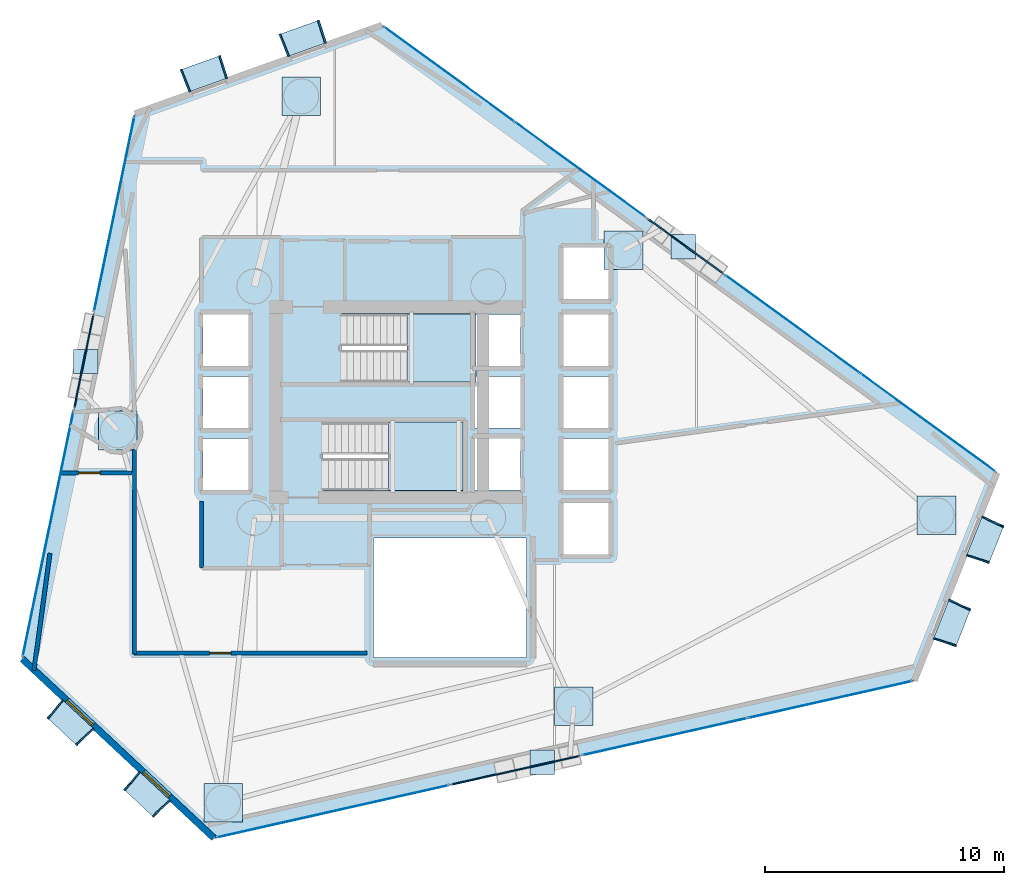
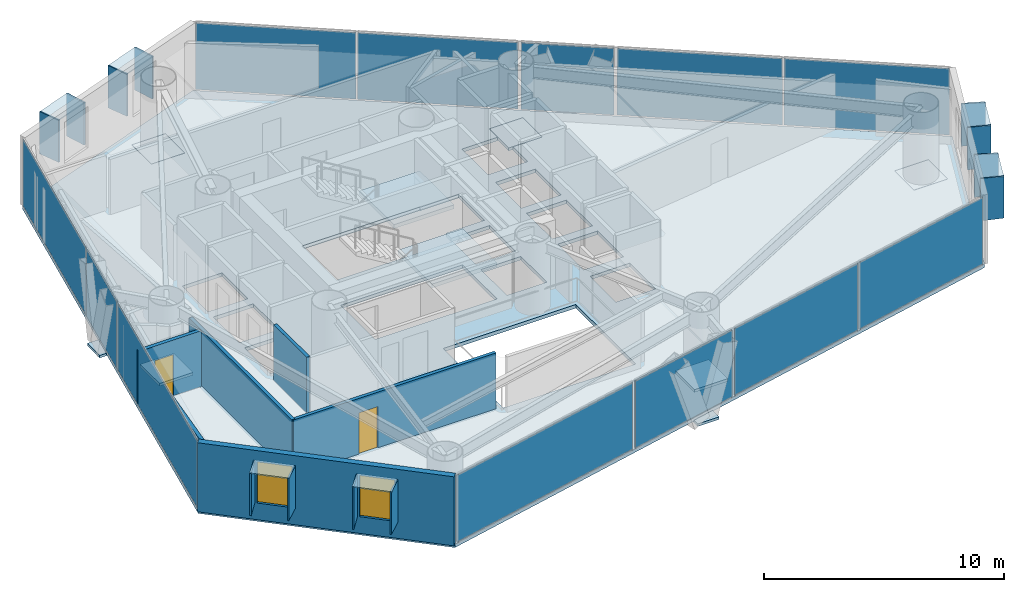
# One storey, part 12 of 18: 39 plates, 6 walls, 3 slabs, 2 doors, 2 windows, 4 openings, 11 elements without a shape of their own.
"""IFC4 building model written with IfcOpenShell, lengths in metres."""

import ifcopenshell
import ifcopenshell.guid

model = None  # the IFC model being written
_history = None  # IfcOwnerHistory: only IFC2X3 demands one
_inside = {}  # id of a spatial element -> (the spatial element, [elements in it])
_under = {}  # id of a project, library or spatial element -> (it, [spatial elements below it])
_declared = {}  # id of a project -> (the project, [libraries it declares])
_typed = {}  # id of a type object -> (the type object, [elements of that type])
_made_of = {}  # id of a material, layer set ... -> (it, [elements and type objects made of it])


def new_model(schema):
    """Start an empty IFC model of exactly this schema.

    Asked for "IFC4X3", IfcOpenShell would pick the latest addendum, in which some entities
    have other attributes; the version numbers below select the first issue.
    IFC2X3 requires an IfcOwnerHistory on every rooted entity: one is made here for all.
    """
    global model, _history
    if schema == "IFC4X3":
        model = ifcopenshell.file(schema_version=(4, 3, 0, 0))
    else:
        model = ifcopenshell.file(schema=schema)
    _inside.clear()
    _under.clear()
    _declared.clear()
    _typed.clear()
    _made_of.clear()
    _history = None
    if model.schema == "IFC2X3":
        org = make("IfcOrganization", Name="unknown")
        user = make(
            "IfcPersonAndOrganization",
            ThePerson=make("IfcPerson", FamilyName="unknown"),
            TheOrganization=org,
        )
        app = make(
            "IfcApplication",
            ApplicationDeveloper=org,
            Version="unknown",
            ApplicationFullName="unknown",
            ApplicationIdentifier="unknown",
        )
        _history = make(
            "IfcOwnerHistory",
            OwningUser=user,
            OwningApplication=app,
            ChangeAction="ADDED",
            CreationDate=0,
        )
    return model


def make(cls, **values):
    """One entity of the class cls with the attributes given. An attribute that is None is left unset."""
    return model.create_entity(
        cls, **{name: value for name, value in values.items() if value is not None}
    )


def rooted(cls, **values):
    """An entity with a GlobalId (a new one), such as an element, a storey or a relation."""
    return make(cls, GlobalId=ifcopenshell.guid.new(), OwnerHistory=_history, **values)


def si_unit(unit_type, name, prefix=None):
    """IfcSIUnit, for example si_unit("LENGTHUNIT", "METRE", prefix="MILLI")."""
    return make("IfcSIUnit", UnitType=unit_type, Prefix=prefix, Name=name)


def assignment(units):
    """IfcUnitAssignment: the units of a project."""
    return None if units is None else make("IfcUnitAssignment", Units=units)


def point(xyz):
    """IfcCartesianPoint."""
    return None if xyz is None else make("IfcCartesianPoint", Coordinates=xyz)


def direction(xyz):
    """IfcDirection."""
    return None if xyz is None else make("IfcDirection", DirectionRatios=xyz)


def frame(location, z_axis=None, x_axis=None):
    """IfcAxis2Placement3D, a coordinate frame: its origin and axes. An axis left out is left unset."""
    return make(
        "IfcAxis2Placement3D",
        Location=point(location),
        Axis=direction(z_axis),
        RefDirection=direction(x_axis),
    )


def frame_2d(location, x_axis=None):
    """IfcAxis2Placement2D, a coordinate frame in the plane: its origin and x axis."""
    return make(
        "IfcAxis2Placement2D", Location=point(location), RefDirection=direction(x_axis)
    )


def origin():
    """The frame at (0, 0, 0) with its axes left unset."""
    return frame((0.0, 0.0, 0.0))


def origin_2d():
    """The frame at (0, 0) in the plane with its x axis left unset."""
    return frame_2d((0.0, 0.0))


def place(relative_to, where):
    """IfcLocalPlacement: puts the frame where relative to a parent placement (None: the world)."""
    return make(
        "IfcLocalPlacement", PlacementRelTo=relative_to, RelativePlacement=where
    )


def context(
    kind, dimensions, precision=None, world=None, true_north=None, identifier=None
):
    """IfcGeometricRepresentationContext, for example the 3D "Model" context."""
    return make(
        "IfcGeometricRepresentationContext",
        ContextIdentifier=identifier,
        ContextType=kind,
        CoordinateSpaceDimension=dimensions,
        Precision=precision,
        WorldCoordinateSystem=world,
        TrueNorth=true_north,
    )


def subcontext(parent, identifier, kind, view, scale=None):
    """IfcGeometricRepresentationSubContext, for example "Body" below "Model"."""
    return make(
        "IfcGeometricRepresentationSubContext",
        ContextIdentifier=identifier,
        ContextType=kind,
        ParentContext=parent,
        TargetScale=scale,
        TargetView=view,
    )


def project(units=None, contexts=None):
    """IfcProject with its units and contexts."""
    return rooted(
        "IfcProject",
        Name="project",
        RepresentationContexts=contexts,
        UnitsInContext=assignment(units),
    )


def spatial(cls, under=None, at=None, **own):
    """A site, building, storey or space (cls), placed at a placement, below another one or the project."""
    s = rooted(cls, ObjectPlacement=at, **own)
    if under is not None:
        _under.setdefault(under.id(), (under, []))[1].append(s)
    return s


def polyline(points):
    """IfcPolyline through the points."""
    return make("IfcPolyline", Points=[point(p) for p in points])


def profile(cls, at=None, kind="AREA", **sizes):
    """A parametric profile (cls). Its sizes go by their IFC names, for example OverallWidth=200.0."""
    return make(cls, ProfileType=kind, Position=at, **sizes)


def rectangle(**sizes):
    """IfcRectangleProfileDef."""
    return profile("IfcRectangleProfileDef", **sizes)


def outline(outer, holes=None, kind="AREA"):
    """IfcArbitraryClosedProfileDef: a profile drawn as a closed curve; with holes, ...WithVoids."""
    if holes is None:
        return make("IfcArbitraryClosedProfileDef", ProfileType=kind, OuterCurve=outer)
    return make(
        "IfcArbitraryProfileDefWithVoids",
        ProfileType=kind,
        OuterCurve=outer,
        InnerCurves=holes,
    )


def extrude(swept, where, along, depth):
    """IfcExtrudedAreaSolid: the profile swept, set in the frame where, extruded along a direction by depth."""
    return make(
        "IfcExtrudedAreaSolid",
        SweptArea=swept,
        Position=where,
        ExtrudedDirection=direction(along),
        Depth=depth,
    )


def shape(context_of_items, identifier, shape_type, items):
    """IfcShapeRepresentation: the items that make up one representation, for example the "Body"."""
    return make(
        "IfcShapeRepresentation",
        ContextOfItems=context_of_items,
        RepresentationIdentifier=identifier,
        RepresentationType=shape_type,
        Items=items,
    )


def material(Name=None, Category=None):
    """IfcMaterial."""
    return make("IfcMaterial", Name=Name, Category=Category)


def layer(
    of_material, thickness, ventilated=None, Name=None, Category=None, Priority=None
):
    """IfcMaterialLayer: one layer of a wall or slab, of a material (None: an air gap)."""
    return make(
        "IfcMaterialLayer",
        Material=of_material,
        LayerThickness=thickness,
        IsVentilated=ventilated,
        Name=Name,
        Category=Category,
        Priority=Priority,
    )


def layer_set(layers, Name=None):
    """IfcMaterialLayerSet."""
    return make("IfcMaterialLayerSet", MaterialLayers=layers, LayerSetName=Name)


def made_of(thing, what):
    """Note that an element or type object is made of a material, layer set ...; save() writes the relation."""
    if what is not None:
        _made_of.setdefault(what.id(), (what, []))[1].append(thing)
    return thing


def type_object(cls, material=None, **own):
    """A type object (cls), such as IfcWallType, which elements share."""
    return made_of(rooted(cls, **own), material)


def element(
    cls,
    number,
    at=None,
    inside=None,
    cuts=None,
    type_object=None,
    material=None,
    context=None,
    identifier="Body",
    shape_type=None,
    held_by="IfcProductDefinitionShape",
    body=None,
    shapes=None,
    **own,
):
    """One element of the class cls, such as IfcWall. Its Tag is "e" and its number.

    at: its placement. inside: the storey or other place that contains it. cuts: it is an
    opening in that element (IfcRelVoidsElement). A single representation is given by context,
    identifier, shape_type and body (its items); several are given by shapes. held_by: the class
    of the entity that holds the representations. save() writes the other relations.
    """
    e = rooted(cls, Tag="e%d" % number, ObjectPlacement=at, **own)
    if body is not None:
        shapes = [shape(context, identifier, shape_type, body)]
    if shapes is not None:
        e.Representation = make(held_by, Representations=shapes)
    if inside is not None:
        _inside.setdefault(inside.id(), (inside, []))[1].append(e)
    if cuts is not None:
        rooted(
            "IfcRelVoidsElement", RelatingBuildingElement=cuts, RelatedOpeningElement=e
        )
    if type_object is not None:
        _typed.setdefault(type_object.id(), (type_object, []))[1].append(e)
    return made_of(e, material)


def fill(opening, filler):
    """IfcRelFillsElement: the door or window that sits in an opening."""
    return rooted(
        "IfcRelFillsElement",
        RelatingOpeningElement=opening,
        RelatedBuildingElement=filler,
    )


def aggregate(whole, parts):
    """IfcRelAggregates: a whole, such as a stair, and the parts it consists of."""
    return rooted("IfcRelAggregates", RelatingObject=whole, RelatedObjects=parts)


def save(model, path):
    """Write the relations noted so far, then the file.

    IfcRelAggregates (storeys below a building ...), IfcRelContainedInSpatialStructure (elements
    in a storey), IfcRelDefinesByType, IfcRelAssociatesMaterial and IfcRelDeclares: one each for
    every whole, place, type object, material and project.
    """
    for whole, parts in _under.values():
        aggregate(whole, parts)
    for where, things in _inside.values():
        rooted(
            "IfcRelContainedInSpatialStructure",
            RelatedElements=things,
            RelatingStructure=where,
        )
    for kind, things in _typed.values():
        rooted("IfcRelDefinesByType", RelatedObjects=things, RelatingType=kind)
    for what, things in _made_of.values():
        rooted("IfcRelAssociatesMaterial", RelatedObjects=things, RelatingMaterial=what)
    for by, libraries in _declared.values():
        rooted("IfcRelDeclares", RelatingContext=by, RelatedDefinitions=libraries)
    model.write(path)


model = new_model("IFC4")

# Units and contexts
model_context = context("Model", 3, precision=1e-05, world=origin(), true_north=direction((0.0, 1.0)))
body_context = subcontext(model_context, "Body", "Model", "MODEL_VIEW")
ifc_project = project(units=[si_unit("LENGTHUNIT", "METRE"), si_unit("AREAUNIT", "SQUARE_METRE"), si_unit("VOLUMEUNIT", "CUBIC_METRE"), si_unit("PLANEANGLEUNIT", "RADIAN"), si_unit("MASSUNIT", "GRAM", prefix="KILO")], contexts=[model_context])

# Site, building, storey
site_placement = place(None, origin())
site = spatial("IfcSite", under=ifc_project, at=site_placement, CompositionType="ELEMENT")
building_placement = place(site_placement, origin())
building = spatial("IfcBuilding", under=site, at=building_placement, Name="Qianvela Tower", CompositionType="ELEMENT")
storey_placement = place(building_placement, frame((0.0, 0.0, 97.800048828125)))
storey = spatial("IfcBuildingStorey", under=building, at=storey_placement, Name="L24", CompositionType="ELEMENT", Elevation=97.800048828125)

# Curtain wall, plate
ifc_material_1 = material(Name="Anodised Architectural Aluminium and Insulated Spandrel Panel", Category="aluminium")
ifc_layer_1 = layer(ifc_material_1, 0.179931640625)
ifc_layer_set_1 = layer_set([ifc_layer_1], Name="Anodised Architectural Aluminium and Insulated Spandrel Panel")
curtain_wall_type_1 = type_object("IfcCurtainWallType", Name="CW-BRACEBAY", PredefinedType="USERDEFINED", material=ifc_layer_set_1)
curtain_wall_1_placement = place(storey_placement, origin())
curtain_wall_1 = element("IfcCurtainWall", 1, at=curtain_wall_1_placement, inside=storey, type_object=curtain_wall_type_1, Name="L24 CW-BRACEBAY Curtain Wall 02B", ObjectType="CURTAIN_WALL_SYSTEM", PredefinedType="USERDEFINED")
ifc_material_2 = material(Name="Insulated Aluminium Spandrel Panel with Mineral-Wool Backpan", Category="aluminium")
ifc_layer_2 = layer(ifc_material_2, 0.06005859375)
ifc_layer_set_2 = layer_set([ifc_layer_2], Name="Insulated Aluminium Spandrel Panel with Mineral-Wool Backpan")
plate_type_1 = type_object("IfcPlateType", Name="CW-BRACEBAY-PNL", PredefinedType="CURTAIN_PANEL", material=ifc_layer_set_2)
plate_1_placement = place(storey_placement, frame((46.66845703125, 35.24462890625, 0.06494140625), z_axis=(0.0, 0.0, 1.0), x_axis=(-0.808685773758, 0.588240868455, 0.0)))
plate_1 = element("IfcPlate", 2, at=plate_1_placement, type_object=plate_type_1, Name="CW-9 panel 1.1", PredefinedType="CURTAIN_PANEL", context=body_context, shape_type="SweptSolid", body=[
    extrude(rectangle(XDim=3.909912109375, YDim=0.06005859375, at=origin_2d()), origin(), (0.0, 0.0, 1.0), 3.389892578125),
])
aggregate(curtain_wall_1, [plate_1])

curtain_wall_2_placement = place(storey_placement, origin())
curtain_wall_2 = element("IfcCurtainWall", 3, at=curtain_wall_2_placement, inside=storey, type_object=curtain_wall_type_1, Name="L24 CW-BRACEBAY Curtain Wall 04B", ObjectType="CURTAIN_WALL_SYSTEM", PredefinedType="USERDEFINED")
plate_2_placement = place(storey_placement, frame((21.45166015625, 30.4228515625, 0.06494140625), z_axis=(0.0, 0.0, 1.0), x_axis=(-0.202444669233, -0.979293702573, 0.0)))
plate_2 = element("IfcPlate", 4, at=plate_2_placement, type_object=plate_type_1, Name="CW-9 panel 1.1", PredefinedType="CURTAIN_PANEL", context=body_context, shape_type="SweptSolid", body=[
    extrude(rectangle(XDim=4.0, YDim=0.06005859375, at=origin_2d()), origin(), (0.0, 0.0, 1.0), 3.389892578125),
])
aggregate(curtain_wall_2, [plate_2])

curtain_wall_3_placement = place(storey_placement, origin())
curtain_wall_3 = element("IfcCurtainWall", 5, at=curtain_wall_3_placement, inside=storey, type_object=curtain_wall_type_1, Name="L24 CW-BRACEBAY Curtain Wall 06B", ObjectType="CURTAIN_WALL_SYSTEM", PredefinedType="USERDEFINED")
plate_3_placement = place(storey_placement, frame((39.559814453125, 13.2724609375, 0.06494140625), z_axis=(0.0, 0.0, 1.0), x_axis=(0.975639554625, 0.219379715221, 0.0)))
plate_3 = element("IfcPlate", 6, at=plate_3_placement, type_object=plate_type_1, Name="CW-9 panel 1.1", PredefinedType="CURTAIN_PANEL", context=body_context, shape_type="SweptSolid", body=[
    extrude(rectangle(XDim=5.510009765625, YDim=0.06005859375, at=origin_2d()), origin(), (0.0, 0.0, 1.0), 3.389892578125),
])
aggregate(curtain_wall_3, [plate_3])

# Curtain wall, plates
ifc_material_3 = material(Name="Anodised Architectural Aluminium and Low-E Glass", Category="aluminium")
ifc_layer_3 = layer(ifc_material_3, 0.169921875)
ifc_layer_set_3 = layer_set([ifc_layer_3], Name="Anodised Architectural Aluminium and Low-E Glass")
curtain_wall_type_2 = type_object("IfcCurtainWallType", Name="CW-COLIV-Z34", PredefinedType="USERDEFINED", material=ifc_layer_set_3)
curtain_wall_4_placement = place(storey_placement, origin())
curtain_wall_4 = element("IfcCurtainWall", 7, at=curtain_wall_4_placement, inside=storey, type_object=curtain_wall_type_2, Name="L24 CW-COLIV-Z34 Curtain Wall 02A", ObjectType="CURTAIN_WALL_SYSTEM", PredefinedType="USERDEFINED")
ifc_material_4 = material(Name="Double-Silver Low-E Insulated Glass", Category="glass")
ifc_layer_4 = layer(ifc_material_4, 0.028076171875)
ifc_layer_set_4 = layer_set([ifc_layer_4], Name="Double-Silver Low-E Insulated Glass")
plate_type_2 = type_object("IfcPlateType", Name="CW-COLIV-Z34-PNL", PredefinedType="CURTAIN_PANEL", material=ifc_layer_set_4)
plate_4_placement = place(storey_placement, frame((56.82861328125, 27.85400390625, 0.06494140625), z_axis=(0.0, 0.0, 1.0), x_axis=(-0.808677726602, 0.588251931147, 0.0)))
plate_4 = element("IfcPlate", 8, at=plate_4_placement, type_object=plate_type_2, Name="CW-4 panel 1.1", PredefinedType="CURTAIN_PANEL", context=body_context, shape_type="SweptSolid", body=[
    extrude(rectangle(XDim=6.942626953125, YDim=0.028076171875, at=origin_2d()), origin(), (0.0, 0.0, 1.0), 3.389892578125),
])
plate_5_placement = place(storey_placement, frame((51.161865234375, 31.976318359375, 0.06494140625), z_axis=(0.0, 0.0, 1.0), x_axis=(-0.808677726602, 0.588251931147, 0.0)))
plate_5 = element("IfcPlate", 9, at=plate_5_placement, type_object=plate_type_2, Name="CW-4 panel 2.1", PredefinedType="CURTAIN_PANEL", context=body_context, shape_type="SweptSolid", body=[
    extrude(rectangle(XDim=6.942626953125, YDim=0.028076171875, at=origin_2d()), origin(), (0.0, 0.0, 1.0), 3.389892578125),
])
aggregate(curtain_wall_4, [plate_4, plate_5])

curtain_wall_5_placement = place(storey_placement, origin())
curtain_wall_5 = element("IfcCurtainWall", 10, at=curtain_wall_5_placement, inside=storey, type_object=curtain_wall_type_2, Name="L24 CW-COLIV-Z34 Curtain Wall 02C", ObjectType="CURTAIN_WALL_SYSTEM", PredefinedType="USERDEFINED")
plate_6_placement = place(storey_placement, frame((42.260498046875, 38.451171875, 0.06494140625), z_axis=(0.0, 0.0, 1.0), x_axis=(-0.808675610489, 0.588254840184, 0.0)))
plate_6 = element("IfcPlate", 11, at=plate_6_placement, type_object=plate_type_2, Name="CW-4 panel 1.1", PredefinedType="CURTAIN_PANEL", context=body_context, shape_type="SweptSolid", body=[
    extrude(rectangle(XDim=6.73193359375, YDim=0.028076171875, at=origin_2d()), origin(), (0.0, 0.0, 1.0), 3.389892578125),
])
plate_7_placement = place(storey_placement, frame((36.763916015625, 42.44970703125, 0.06494140625), z_axis=(0.0, 0.0, 1.0), x_axis=(-0.808675610489, 0.588254840184, 0.0)))
plate_7 = element("IfcPlate", 12, at=plate_7_placement, type_object=plate_type_2, Name="CW-4 panel 2.1", PredefinedType="CURTAIN_PANEL", context=body_context, shape_type="SweptSolid", body=[
    extrude(rectangle(XDim=6.73193359375, YDim=0.028076171875, at=origin_2d()), origin(), (0.0, 0.0, 1.0), 3.389892578125),
])
aggregate(curtain_wall_5, [plate_6, plate_7])

# Curtain wall, plate
curtain_wall_6_placement = place(storey_placement, origin())
curtain_wall_6 = element("IfcCurtainWall", 13, at=curtain_wall_6_placement, inside=storey, type_object=curtain_wall_type_2, Name="L24 CW-COLIV-Z34 Curtain Wall 04A", ObjectType="CURTAIN_WALL_SYSTEM", PredefinedType="USERDEFINED")
plate_8_placement = place(storey_placement, frame((22.72705078125, 36.59228515625, 0.06494140625), z_axis=(0.0, 0.0, 1.0), x_axis=(-0.202444363817, -0.97929376571, 0.0)))
plate_8 = element("IfcPlate", 14, at=plate_8_placement, type_object=plate_type_2, Name="CW-4 panel 1.1", PredefinedType="CURTAIN_PANEL", context=body_context, shape_type="SweptSolid", body=[
    extrude(rectangle(XDim=8.340087890625, YDim=0.028076171875, at=origin_2d()), origin(), (0.0, 0.0, 1.0), 3.389892578125),
])
aggregate(curtain_wall_6, [plate_8])

curtain_wall_7_placement = place(storey_placement, origin())
curtain_wall_7 = element("IfcCurtainWall", 15, at=curtain_wall_7_placement, inside=storey, type_object=curtain_wall_type_2, Name="L24 CW-COLIV-Z34 Curtain Wall 04C", ObjectType="CURTAIN_WALL_SYSTEM", PredefinedType="USERDEFINED")
plate_9_placement = place(storey_placement, frame((19.95703125, 23.193359375, 0.06494140625), z_axis=(0.0, 0.0, 1.0), x_axis=(-0.202446707851, -0.979293281137, 0.0)))
plate_9 = element("IfcPlate", 16, at=plate_9_placement, type_object=plate_type_2, Name="CW-4 panel 1.1", PredefinedType="CURTAIN_PANEL", context=body_context, shape_type="SweptSolid", body=[
    extrude(rectangle(XDim=10.50439453125, YDim=0.028076171875, at=origin_2d()), origin(), (0.0, 0.0, 1.0), 3.389892578125),
])
aggregate(curtain_wall_7, [plate_9])

curtain_wall_8_placement = place(storey_placement, origin())
curtain_wall_8 = element("IfcCurtainWall", 17, at=curtain_wall_8_placement, inside=storey, type_object=curtain_wall_type_2, Name="L24 CW-COLIV-Z34 Curtain Wall 06A", ObjectType="CURTAIN_WALL_SYSTEM", PredefinedType="USERDEFINED")
plate_10_placement = place(storey_placement, frame((31.881591796875, 11.5458984375, 0.06494140625), z_axis=(0.0, 0.0, 1.0), x_axis=(0.975637896225, 0.219387090436, 0.0)))
plate_10 = element("IfcPlate", 18, at=plate_10_placement, type_object=plate_type_2, Name="CW-4 panel 1.1", PredefinedType="CURTAIN_PANEL", context=body_context, shape_type="SweptSolid", body=[
    extrude(rectangle(XDim=9.969970703125, YDim=0.028076171875, at=origin_2d()), origin(), (0.0, 0.0, 1.0), 3.389892578125),
])
aggregate(curtain_wall_8, [plate_10])

# Curtain wall, plates
curtain_wall_9_placement = place(storey_placement, origin())
curtain_wall_9 = element("IfcCurtainWall", 19, at=curtain_wall_9_placement, inside=storey, type_object=curtain_wall_type_2, Name="L24 CW-COLIV-Z34 Curtain Wall 06C", ObjectType="CURTAIN_WALL_SYSTEM", PredefinedType="USERDEFINED")
plate_11_placement = place(storey_placement, frame((45.8017578125, 14.676025390625, 0.06494140625), z_axis=(0.0, 0.0, 1.0), x_axis=(0.975638948082, 0.219382412663, 0.0)))
plate_11 = element("IfcPlate", 20, at=plate_11_placement, type_object=plate_type_2, Name="CW-4 panel 1.1", PredefinedType="CURTAIN_PANEL", context=body_context, shape_type="SweptSolid", body=[
    extrude(rectangle(XDim=7.025634765625, YDim=0.028076171875, at=origin_2d()), origin(), (0.0, 0.0, 1.0), 3.389892578125),
])
plate_12_placement = place(storey_placement, frame((52.7197265625, 16.2314453125, 0.06494140625), z_axis=(0.0, 0.0, 1.0), x_axis=(0.975638948082, 0.219382412663, 0.0)))
plate_12 = element("IfcPlate", 21, at=plate_12_placement, type_object=plate_type_2, Name="CW-4 panel 2.1", PredefinedType="CURTAIN_PANEL", context=body_context, shape_type="SweptSolid", body=[
    extrude(rectangle(XDim=7.025634765625, YDim=0.028076171875, at=origin_2d()), origin(), (0.0, 0.0, 1.0), 3.389892578125),
])
aggregate(curtain_wall_9, [plate_11, plate_12])

# Plates
ifc_material_5 = material(Name="Steel Q420GJC", Category="steel")
ifc_layer_5 = layer(ifc_material_5, 0.1298828125)
ifc_layer_set_5 = layer_set([ifc_layer_5], Name="Steel Q420GJC")
plate_type_3 = type_object("IfcPlateType", Name="PT-ENDCAP-130", PredefinedType="USERDEFINED", material=ifc_layer_set_5)
for number, where, z_axis, x_axis, name in (
    (22, (46.576904296875, 35.21240234375, -0.26171875), (0.0, 0.0, 1.0), (1.0, 0.0, 0.0), "L24 Hollow Section End Cap Plate A"),
    (23, (21.529296875, 30.404052734375, -0.26171875), (0.0, 0.0, 1.0), (1.0, 0.0, 0.0), "L24 Hollow Section End Cap Plate A"),
    (24, (40.66748046875, 13.603515625, -0.26171875), (0.0, 0.0, 1.0), (1.0, 0.0, 0.0), "L24 Hollow Section End Cap Plate A"),
):
    element("IfcPlate", number, at=place(storey_placement, frame(where, z_axis=z_axis, x_axis=x_axis)), inside=storey, type_object=plate_type_3, Name=name, ObjectType="END_CAP", PredefinedType="USERDEFINED", context=body_context, shape_type="SweptSolid", body=[
        extrude(rectangle(XDim=1.02001953125, YDim=1.02001953125, at=origin_2d()), origin(), (0.0, 0.0, 1.0), 0.1298828125),
    ])
ifc_material_6 = material(Name="Steel Q420GJC", Category="steel")
ifc_layer_6 = layer(ifc_material_6, 0.139892578125)
ifc_layer_set_6 = layer_set([ifc_layer_6], Name="Steel Q420GJC")
plate_type_4 = type_object("IfcPlateType", Name="PT-GUSSET-NODE-140", PredefinedType="USERDEFINED", material=ifc_layer_set_6)
for number, where, z_axis, x_axis, name in (
    (25, (57.194091796875, 23.9580078125, -0.134765625), (0.0, 0.0, 1.0), (1.0, 0.0, 0.0), "L24 Node Gusset Plate BOT"),
    (26, (44.071044921875, 35.070068359375, -0.134765625), (0.0, 0.0, 1.0), (1.0, 0.0, 0.0), "L24 Node Gusset Plate BOT"),
    (27, (30.56396484375, 41.52099609375, -0.134765625), (0.0, 0.0, 1.0), (1.0, 0.0, 0.0), "L24 Node Gusset Plate BOT"),
    (28, (22.8779296875, 27.51611328125, -0.134765625), (0.0, 0.0, 1.0), (1.0, 0.0, 0.0), "L24 Node Gusset Plate BOT"),
    (29, (27.2919921875, 11.908935546875, -0.134765625), (0.0, 0.0, 1.0), (1.0, 0.0, 0.0), "L24 Node Gusset Plate BOT"),
    (30, (41.988037109375, 15.95703125, -0.134765625), (0.0, 0.0, 1.0), (1.0, 0.0, 0.0), "L24 Node Gusset Plate BOT"),
):
    element("IfcPlate", number, at=place(storey_placement, frame(where, z_axis=z_axis, x_axis=x_axis)), inside=storey, type_object=plate_type_4, Name=name, ObjectType="GUSSET_PLATE", PredefinedType="USERDEFINED", context=body_context, shape_type="SweptSolid", body=[
        extrude(rectangle(XDim=1.6201171875, YDim=1.6201171875, at=origin_2d()), origin(), (0.0, 0.0, 1.0), 0.139892578125),
    ])

# Slab
ifc_material_7 = material(Name="Concrete C40", Category="concrete")
ifc_layer_7 = layer(ifc_material_7, 0.179931640625)
ifc_layer_set_7 = layer_set([ifc_layer_7], Name="Concrete C40")
slab_type_1 = type_object("IfcSlabType", Name="SL-FLOOR-180", PredefinedType="FLOOR", material=ifc_layer_set_7)
slab_1_placement = place(storey_placement, frame((0.0, 0.0, -0.179931640625)))
element("IfcSlab", 31, at=slab_1_placement, inside=storey, type_object=slab_type_1, Name="L24 Composite Structural Floor Slab", PredefinedType="FLOOR", context=body_context, shape_type="SweptSolid", body=[
    extrude(outline(polyline([(56.25927734375, 17.02734375), (59.728759765625, 25.744384765625), (33.948974609375, 44.497314453125), (23.594482421875, 40.78857421875), (18.87060546875, 17.937255859375), (26.90576171875, 10.427001953125), (56.25927734375, 17.02734375)]), holes=[polyline([(40.0, 23.0), (33.60009765625, 23.0), (33.60009765625, 18.0), (40.0, 18.0), (40.0, 23.0)]), polyline([(28.360107421875, 25.02001953125), (28.360107421875, 27.179931640625), (26.43994140625, 27.179931640625), (26.43994140625, 25.02001953125), (28.360107421875, 25.02001953125)]), polyline([(37.35009765625, 25.0), (37.35009765625, 27.860107421875), (31.469970703125, 27.860107421875), (31.469970703125, 25.0), (37.35009765625, 25.0)]), polyline([(28.360107421875, 27.6201171875), (28.360107421875, 29.780029296875), (26.43994140625, 29.780029296875), (26.43994140625, 27.6201171875), (28.360107421875, 27.6201171875)]), polyline([(37.89990234375, 32.3798828125), (37.89990234375, 32.39990234375), (32.25, 32.39990234375), (32.25, 29.5400390625), (37.840087890625, 29.5400390625), (37.840087890625, 27.6201171875), (39.760009765625, 27.6201171875), (39.760009765625, 29.780029296875), (37.89990234375, 29.780029296875), (37.89990234375, 30.219970703125), (39.760009765625, 30.219970703125), (39.760009765625, 32.3798828125), (37.89990234375, 32.3798828125)]), polyline([(28.360107421875, 30.219970703125), (28.360107421875, 32.3798828125), (26.43994140625, 32.3798828125), (26.43994140625, 30.219970703125), (28.360107421875, 30.219970703125)]), polyline([(43.4599609375, 24.47998046875), (41.5400390625, 24.47998046875), (41.5400390625, 22.320068359375), (43.4599609375, 22.320068359375), (43.4599609375, 24.47998046875)]), polyline([(39.760009765625, 25.02001953125), (39.760009765625, 27.179931640625), (37.840087890625, 27.179931640625), (37.840087890625, 25.02001953125), (39.760009765625, 25.02001953125)]), polyline([(43.4599609375, 25.02001953125), (43.4599609375, 27.179931640625), (41.5400390625, 27.179931640625), (41.5400390625, 25.02001953125), (43.4599609375, 25.02001953125)]), polyline([(43.4599609375, 27.6201171875), (43.4599609375, 29.780029296875), (41.5400390625, 29.780029296875), (41.5400390625, 27.6201171875), (43.4599609375, 27.6201171875)]), polyline([(43.4599609375, 30.219970703125), (43.4599609375, 32.3798828125), (41.5400390625, 32.3798828125), (41.5400390625, 30.219970703125), (43.4599609375, 30.219970703125)]), polyline([(43.4599609375, 33.02001953125), (43.4599609375, 35.179931640625), (41.5400390625, 35.179931640625), (41.5400390625, 33.02001953125), (43.4599609375, 33.02001953125)])]), origin(), (0.0, 0.0, 1.0), 0.179931640625),
])

# Stair, slab
ifc_material_8 = material(Name="Concrete C40", Category="concrete")
stair_type = type_object("IfcStairType", Name="ST-DOGLEG-1350-R168-N22", PredefinedType="HALF_TURN_STAIR", material=ifc_material_8)
stair_1_placement = place(storey_placement, origin())
stair_1 = element("IfcStair", 32, at=stair_1_placement, inside=storey, type_object=stair_type, Name="L24 Smoke-Proof Core Stair ST-1", PredefinedType="HALF_TURN_STAIR")
ifc_material_9 = material(Name="Concrete C40", Category="concrete")
ifc_layer_8 = layer(ifc_material_9, 0.199951171875)
ifc_layer_set_8 = layer_set([ifc_layer_8], Name="Concrete C40")
slab_type_2 = type_object("IfcSlabType", Name="SL-STAIR-LANDING-200", PredefinedType="LANDING", material=ifc_layer_set_8)
slab_2_placement = place(storey_placement, frame((0.0, 0.0, 1.64990234375)))
slab_2 = element("IfcSlab", 33, at=slab_2_placement, type_object=slab_type_2, Name="ST-1 landing 1", PredefinedType="LANDING", context=body_context, shape_type="SweptSolid", body=[
    extrude(outline(polyline([(35.0, 29.5400390625), (37.89990234375, 29.5400390625), (37.89990234375, 32.39990234375), (35.0, 32.39990234375), (35.0, 29.5400390625)])), origin(), (0.0, 0.0, 1.0), 0.199951171875),
])
aggregate(stair_1, [slab_2])

stair_2_placement = place(storey_placement, origin())
stair_2 = element("IfcStair", 34, at=stair_2_placement, inside=storey, type_object=stair_type, Name="L24 Smoke-Proof Core Stair ST-2", PredefinedType="HALF_TURN_STAIR")
slab_3_placement = place(storey_placement, frame((0.0, 0.0, 1.64990234375)))
slab_3 = element("IfcSlab", 35, at=slab_3_placement, type_object=slab_type_2, Name="ST-2 landing 1", PredefinedType="LANDING", context=body_context, shape_type="SweptSolid", body=[
    extrude(outline(polyline([(34.219970703125, 25.0), (37.35009765625, 25.0), (37.35009765625, 27.860107421875), (34.219970703125, 27.860107421875), (34.219970703125, 25.0)])), origin(), (0.0, 0.0, 1.0), 0.199951171875),
])
aggregate(stair_2, [slab_3])

# Plates
ifc_material_10 = material(Name="Vitrified Architectural Terracotta Panel", Category="masonry")
ifc_layer_9 = layer(ifc_material_10, 0.06005859375)
ifc_layer_set_9 = layer_set([ifc_layer_9], Name="Vitrified Architectural Terracotta Panel")
plate_type_5 = type_object("IfcPlateType", Name="TERRACOTTA-SUNSHADE-HOOD-FOLD-A", PredefinedType="USERDEFINED", material=ifc_layer_set_9)
for number, where, z_axis, x_axis, name in (
    (36, (57.852783203125, 19.422607421875, 2.9599609375), (0.0, 0.0, 1.0), (0.369797027643, 0.929112564949, 0.0), "L24 Terracotta Sunshade Hood FOLD-A"),
    (37, (59.24072265625, 22.9091796875, 2.9599609375), (0.0, 0.0, 1.0), (0.369797027643, 0.929112564949, 0.0), "L24 Terracotta Sunshade Hood FOLD-A"),
    (38, (20.874755859375, 15.24951171875, 2.9599609375), (0.0, 0.0, 1.0), (0.730566419075, -0.682841641466, 0.0), "L24 Terracotta Sunshade Hood FOLD-A"),
    (39, (24.0888671875, 12.245361328125, 2.9599609375), (0.0, 0.0, 1.0), (0.730566419075, -0.682841641466, 0.0), "L24 Terracotta Sunshade Hood FOLD-A"),
):
    element("IfcPlate", number, at=place(storey_placement, frame(where, z_axis=z_axis, x_axis=x_axis)), inside=storey, type_object=plate_type_5, Name=name, ObjectType="SUNSHADE", PredefinedType="USERDEFINED", context=body_context, shape_type="SweptSolid", body=[
        extrude(rectangle(XDim=1.739990234375, YDim=0.989990234375, at=origin_2d()), origin(), (0.0, 0.0, 1.0), 0.06005859375),
    ])
ifc_material_11 = material(Name="Vitrified Architectural Terracotta Panel", Category="masonry")
ifc_layer_10 = layer(ifc_material_11, 0.070068359375)
ifc_layer_set_10 = layer_set([ifc_layer_10], Name="Vitrified Architectural Terracotta Panel")
plate_type_6 = type_object("IfcPlateType", Name="TERRACOTTA-SUNSHADE-HOOD-FOLD-C", PredefinedType="USERDEFINED", material=ifc_layer_set_10)
for number, where, z_axis, x_axis, name in (
    (40, (30.64208984375, 43.94482421875, 2.9599609375), (0.0, 0.0, 1.0), (-0.941435239117, -0.337193847139, 0.0), "L24 Terracotta Sunshade Hood FOLD-C"),
    (41, (26.5, 42.46142578125, 2.9599609375), (0.0, 0.0, 1.0), (-0.941435239117, -0.337193847139, 0.0), "L24 Terracotta Sunshade Hood FOLD-C"),
):
    element("IfcPlate", number, at=place(storey_placement, frame(where, z_axis=z_axis, x_axis=x_axis)), inside=storey, type_object=plate_type_6, Name=name, ObjectType="SUNSHADE", PredefinedType="USERDEFINED", context=body_context, shape_type="SweptSolid", body=[
        extrude(rectangle(XDim=1.739990234375, YDim=0.989990234375, at=origin_2d()), origin(), (0.0, 0.0, 1.0), 0.06005859375),
    ])
ifc_material_12 = material(Name="Vitrified Architectural Terracotta Side Fin Panel", Category="masonry")
ifc_layer_11 = layer(ifc_material_12, 0.06494140625)
ifc_layer_set_11 = layer_set([ifc_layer_11], Name="Vitrified Architectural Terracotta Side Fin Panel")
plate_type_7 = type_object("IfcPlateType", Name="TERRACOTTA-SUNSHADE-STRUT-FOLD-A", PredefinedType="USERDEFINED", material=ifc_layer_set_11)
for number, where, z_axis, x_axis, name in (
    (42, (57.542236328125, 18.64208984375, 0.85009765625), (0.0, 0.0, 1.0), (0.304084604427, 0.952645030088, 0.0), "L24 Terracotta Sunshade Side Fin HL FOLD-A"),
    (43, (58.16357421875, 20.202880859375, 0.85009765625), (0.0, 0.0, 1.0), (0.433707836911, 0.901053556789, 0.0), "L24 Terracotta Sunshade Side Fin HR FOLD-A"),
    (44, (58.929931640625, 22.12890625, 0.85009765625), (0.0, 0.0, 1.0), (0.304084604427, 0.952645030088, 0.0), "L24 Terracotta Sunshade Side Fin HL FOLD-A"),
    (45, (59.55126953125, 23.689697265625, 0.85009765625), (0.0, 0.0, 1.0), (0.433707836911, 0.901053556789, 0.0), "L24 Terracotta Sunshade Side Fin HR FOLD-A"),
    (46, (20.260986328125, 15.822998046875, 0.85009765625), (0.0, 0.0, 1.0), (0.776419421031, -0.630216536316, 0.0), "L24 Terracotta Sunshade Side Fin HL FOLD-A"),
    (47, (21.488525390625, 14.67578125, 0.85009765625), (0.0, 0.0, 1.0), (0.681154170962, -0.732140010777, 0.0), "L24 Terracotta Sunshade Side Fin HR FOLD-A"),
    (48, (23.47509765625, 12.81884765625, 0.85009765625), (0.0, 0.0, 1.0), (0.776419421031, -0.630216536316, 0.0), "L24 Terracotta Sunshade Side Fin HL FOLD-A"),
    (49, (24.70263671875, 11.671630859375, 0.85009765625), (0.0, 0.0, 1.0), (0.681154170962, -0.732140010777, 0.0), "L24 Terracotta Sunshade Side Fin HR FOLD-A"),
):
    element("IfcPlate", number, at=place(storey_placement, frame(where, z_axis=z_axis, x_axis=x_axis)), inside=storey, type_object=plate_type_7, Name=name, ObjectType="SUNSHADE", PredefinedType="USERDEFINED", context=body_context, shape_type="SweptSolid", body=[
        extrude(rectangle(XDim=0.06494140625, YDim=1.010009765625, at=origin_2d()), origin(), (0.0, 0.0, 1.0), 2.159912109375),
    ])
ifc_material_13 = material(Name="Vitrified Architectural Terracotta Side Fin Panel", Category="masonry")
ifc_layer_12 = layer(ifc_material_13, 0.074951171875)
ifc_layer_set_12 = layer_set([ifc_layer_12], Name="Vitrified Architectural Terracotta Side Fin Panel")
plate_type_8 = type_object("IfcPlateType", Name="TERRACOTTA-SUNSHADE-STRUT-FOLD-C", PredefinedType="USERDEFINED", material=ifc_layer_set_12)
for number, where, z_axis, x_axis, name in (
    (50, (31.432861328125, 44.22802734375, 0.85009765625), (0.0, 0.0, 1.0), (-0.952629637762, -0.304132821735, 0.0), "L24 Terracotta Sunshade Side Fin HL FOLD-C"),
    (51, (29.851318359375, 43.66162109375, 0.85009765625), (0.0, 0.0, 1.0), (-0.92909384665, -0.369844053782, 0.0), "L24 Terracotta Sunshade Side Fin HR FOLD-C"),
    (52, (27.291015625, 42.74462890625, 0.85009765625), (0.0, 0.0, 1.0), (-0.952629637762, -0.304132821735, 0.0), "L24 Terracotta Sunshade Side Fin HL FOLD-C"),
    (53, (25.709228515625, 42.177978515625, 0.85009765625), (0.0, 0.0, 1.0), (-0.92909384665, -0.369844053782, 0.0), "L24 Terracotta Sunshade Side Fin HR FOLD-C"),
):
    element("IfcPlate", number, at=place(storey_placement, frame(where, z_axis=z_axis, x_axis=x_axis)), inside=storey, type_object=plate_type_8, Name=name, ObjectType="SUNSHADE", PredefinedType="USERDEFINED", context=body_context, shape_type="SweptSolid", body=[
        extrude(rectangle(XDim=0.074951171875, YDim=1.010009765625, at=origin_2d()), origin(), (0.0, 0.0, 1.0), 2.159912109375),
    ])

# Wall, openings, windows
ifc_material_14 = material(Name="Terracotta Cladding on Concrete C40", Category="masonry")
ifc_layer_13 = layer(ifc_material_14, 0.280029296875)
ifc_layer_set_13 = layer_set([ifc_layer_13], Name="Terracotta Cladding on Concrete C40")
wall_type_1 = type_object("IfcWallType", Name="TERRACOTTA-WALL-280", PredefinedType="SOLIDWALL", material=ifc_layer_set_13)
wall_1_placement = place(storey_placement, frame((18.87060546875, 17.937255859375, 0.0), z_axis=(0.0, 0.0, 1.0), x_axis=(0.730566417868, -0.682841642758, 0.0)))
wall_1 = element("IfcWall", 54, at=wall_1_placement, inside=storey, type_object=wall_type_1, Name="L24 Terracotta Chamfer Facet Wall 5", PredefinedType="SOLIDWALL", context=body_context, shape_type="SweptSolid", body=[
    extrude(rectangle(XDim=10.99853515625, YDim=0.280029296875, at=frame_2d((5.499267578125, 0.0))), origin(), (0.0, 0.0, 1.0), 3.52001953125),
])
opening_1_placement = place(wall_1_placement, frame((2.549560546875, 0.0, 0.85009765625)))
opening_1 = element("IfcOpeningElement", 55, at=opening_1_placement, cuts=wall_1, Name="Opening W-02", PredefinedType="OPENING", context=body_context, shape_type="SweptSolid", body=[
    extrude(rectangle(XDim=1.5, YDim=2.10009765625, at=frame_2d((0.75, 1.050048828125))), frame((0.0, 0.14990234375, 0.0), z_axis=(0.0, -1.0, 0.0), x_axis=(1.0, 0.0, 0.0)), (0.0, 0.0, 1.0), 0.300048828125),
])
opening_2_placement = place(wall_1_placement, frame((6.94921875, 0.0, 0.85009765625)))
opening_2 = element("IfcOpeningElement", 56, at=opening_2_placement, cuts=wall_1, Name="Opening W-02", PredefinedType="OPENING", context=body_context, shape_type="SweptSolid", body=[
    extrude(rectangle(XDim=1.5, YDim=2.10009765625, at=frame_2d((0.75, 1.050048828125))), frame((0.0, 0.14990234375, 0.0), z_axis=(0.0, -1.0, 0.0), x_axis=(1.0, 0.0, 0.0)), (0.0, 0.0, 1.0), 0.300048828125),
])
ifc_material_15 = material(Name="Thermally Broken Aluminium and Low-E Glass", Category="aluminium")
window_type = type_object("IfcWindowType", Name="WIN-TC-1500x2100", PartitioningType="DOUBLE_PANEL_VERTICAL", PredefinedType="WINDOW", material=ifc_material_15)
window_1_placement = place(opening_1_placement, origin())
window_1 = element("IfcWindow", 57, at=window_1_placement, inside=storey, type_object=window_type, Name="L24 Chamfer Facet Window 5.1", OverallHeight=2.10009765625, OverallWidth=1.5, PartitioningType="SINGLE_PANEL", PredefinedType="WINDOW", context=body_context, shape_type="SweptSolid", body=[
    extrude(rectangle(XDim=1.5, YDim=2.10009765625, at=frame_2d((0.75, 1.050048828125))), frame((0.0, 0.030029296875, 0.0), z_axis=(0.0, -1.0, 0.0), x_axis=(1.0, 0.0, 0.0)), (0.0, 0.0, 1.0), 0.06005859375),
])
fill(opening_1, window_1)
window_2_placement = place(opening_2_placement, origin())
window_2 = element("IfcWindow", 58, at=window_2_placement, inside=storey, type_object=window_type, Name="L24 Chamfer Facet Window 5.2", OverallHeight=2.10009765625, OverallWidth=1.5, PartitioningType="SINGLE_PANEL", PredefinedType="WINDOW", context=body_context, shape_type="SweptSolid", body=[
    extrude(rectangle(XDim=1.5, YDim=2.10009765625, at=frame_2d((0.75, 1.050048828125))), frame((0.0, 0.030029296875, 0.0), z_axis=(0.0, -1.0, 0.0), x_axis=(1.0, 0.0, 0.0)), (0.0, 0.0, 1.0), 0.06005859375),
])
fill(opening_2, window_2)

# Wall
ifc_material_16 = material(Name="Fire-Rated Gypsum and Concrete Block", Category="concrete")
ifc_layer_14 = layer(ifc_material_16, 0.159912109375)
ifc_layer_set_14 = layer_set([ifc_layer_14], Name="Fire-Rated Gypsum and Concrete Block")
wall_type_2 = type_object("IfcWallType", Name="WT-CORR-160", PredefinedType="PARTITIONING", material=ifc_layer_set_14)
wall_2_placement = place(storey_placement, frame((26.388916015625, 24.530517578125, 0.0), z_axis=(0.0, 0.0, 1.0), x_axis=(0.0, -1.0, 0.0)))
element("IfcWall", 59, at=wall_2_placement, inside=storey, type_object=wall_type_2, Name="L24 Partition 45", PredefinedType="PARTITIONING", context=body_context, shape_type="SweptSolid", body=[
    extrude(rectangle(XDim=2.75048828125, YDim=0.159912109375, at=frame_2d((1.375244140625, 0.0))), origin(), (0.0, 0.0, 1.0), 2.83984375),
])

# Wall, opening, door
wall_3_placement = place(storey_placement, frame((33.320068359375, 18.180908203125, 0.0), z_axis=(0.0, 0.0, 1.0), x_axis=(-1.0, 0.0, 0.0)))
wall_3 = element("IfcWall", 60, at=wall_3_placement, inside=storey, type_object=wall_type_2, Name="L24 Partition 47", PredefinedType="PARTITIONING", context=body_context, shape_type="SweptSolid", body=[
    extrude(rectangle(XDim=9.77001953125, YDim=0.159912109375, at=frame_2d((4.885009765625, 0.0))), origin(), (0.0, 0.0, 1.0), 2.83984375),
])
opening_3_placement = place(wall_3_placement, frame((5.695068359375, 0.0, 0.0)))
opening_3 = element("IfcOpeningElement", 61, at=opening_3_placement, cuts=wall_3, Name="Opening D-KT1", PredefinedType="OPENING", context=body_context, shape_type="SweptSolid", body=[
    extrude(rectangle(XDim=0.89990234375, YDim=2.10009765625, at=frame_2d((0.449951171875, 1.050048828125))), frame((0.0, 0.08984375, 0.0), z_axis=(0.0, -1.0, 0.0), x_axis=(1.0, 0.0, 0.0)), (0.0, 0.0, 1.0), 0.179931640625),
])
ifc_material_17 = material(Name="Glazed Timber Kitchen Door", Category="wood")
door_type = type_object("IfcDoorType", Name="DT-KITCH-900", OperationType="NOTDEFINED", PredefinedType="DOOR", material=ifc_material_17)
door_1_placement = place(opening_3_placement, origin())
door_1 = element("IfcDoor", 62, at=door_1_placement, inside=storey, type_object=door_type, Name="L24 Door Shared Communal Kitchen L24-01 to L24 Floor Corridor", OperationType="SINGLE_SWING_RIGHT", OverallHeight=2.10009765625, OverallWidth=0.89990234375, PredefinedType="DOOR", context=body_context, shape_type="SweptSolid", body=[
    extrude(rectangle(XDim=0.89990234375, YDim=2.10009765625, at=frame_2d((0.449951171875, 1.050048828125))), frame((0.0, 0.02490234375, 0.0), z_axis=(0.0, -1.0, 0.0), x_axis=(1.0, 0.0, 0.0)), (0.0, 0.0, 1.0), 0.050048828125),
])
fill(opening_3, door_1)

# Walls
wall_4_placement = place(storey_placement, frame((23.5810546875, 18.14990234375, 0.0), z_axis=(0.0, 0.0, 1.0), x_axis=(0.0, 1.0, 0.0)))
element("IfcWall", 63, at=wall_4_placement, inside=storey, type_object=wall_type_2, Name="L24 Partition 48", PredefinedType="PARTITIONING", context=body_context, shape_type="SweptSolid", body=[
    extrude(rectangle(XDim=8.575439453125, YDim=0.159912109375, at=frame_2d((4.28759765625, 0.0))), origin(), (0.0, 0.0, 1.0), 2.83984375),
])
ifc_material_18 = material(Name="Moisture-Resistant Acoustic Plumbing Wall")
ifc_layer_15 = layer(ifc_material_18, 0.175048828125)
ifc_layer_set_15 = layer_set([ifc_layer_15], Name="Moisture-Resistant Acoustic Plumbing Wall")
wall_type_3 = type_object("IfcWallType", Name="WT-PLUMB-175", PredefinedType="PLUMBINGWALL", material=ifc_layer_set_15)
wall_5_placement = place(storey_placement, frame((19.359375, 17.45703125, 0.0), z_axis=(0.0, 0.0, 1.0), x_axis=(0.135570442416, 0.990767709982, 0.0)))
element("IfcWall", 64, at=wall_5_placement, inside=storey, type_object=wall_type_3, Name="L24 Partition 55 seg 1", PredefinedType="PLUMBINGWALL", context=body_context, shape_type="SweptSolid", body=[
    extrude(rectangle(XDim=4.955810546875, YDim=0.175048828125, at=frame_2d((2.47802734375, 0.0))), origin(), (0.0, 0.0, 1.0), 2.83984375),
])

# Wall, opening, door
wall_6_placement = place(storey_placement, frame((20.462158203125, 25.7333984375, 0.0), z_axis=(0.0, 0.0, 1.0), x_axis=(1.0, 0.0, 0.0)))
wall_6 = element("IfcWall", 65, at=wall_6_placement, inside=storey, type_object=wall_type_3, Name="L24 Partition 56", PredefinedType="PLUMBINGWALL", context=body_context, shape_type="SweptSolid", body=[
    extrude(rectangle(XDim=3.0078125, YDim=0.175048828125, at=frame_2d((1.50390625, 0.0))), origin(), (0.0, 0.0, 1.0), 2.83984375),
])
opening_4_placement = place(wall_6_placement, frame((0.77392578125, 0.0, 0.0)))
opening_4 = element("IfcOpeningElement", 66, at=opening_4_placement, cuts=wall_6, Name="Opening D-KT1", PredefinedType="OPENING", context=body_context, shape_type="SweptSolid", body=[
    extrude(rectangle(XDim=0.89990234375, YDim=2.10009765625, at=frame_2d((0.449951171875, 1.050048828125))), frame((0.0, 0.097412109375, 0.0), z_axis=(0.0, -1.0, 0.0), x_axis=(1.0, 0.0, 0.0)), (0.0, 0.0, 1.0), 0.195068359375),
])
door_2_placement = place(opening_4_placement, origin())
door_2 = element("IfcDoor", 67, at=door_2_placement, inside=storey, type_object=door_type, Name="L24 Door Floor Dining Kitchen L24-03 to Shared Communal Kitchen L24-01", OperationType="SINGLE_SWING_RIGHT", OverallHeight=2.10009765625, OverallWidth=0.89990234375, PredefinedType="DOOR", context=body_context, shape_type="SweptSolid", body=[
    extrude(rectangle(XDim=0.89990234375, YDim=2.10009765625, at=frame_2d((0.449951171875, 1.050048828125))), frame((0.0, 0.02490234375, 0.0), z_axis=(0.0, -1.0, 0.0), x_axis=(1.0, 0.0, 0.0)), (0.0, 0.0, 1.0), 0.050048828125),
])
fill(opening_4, door_2)

save(model, "model.ifc")
